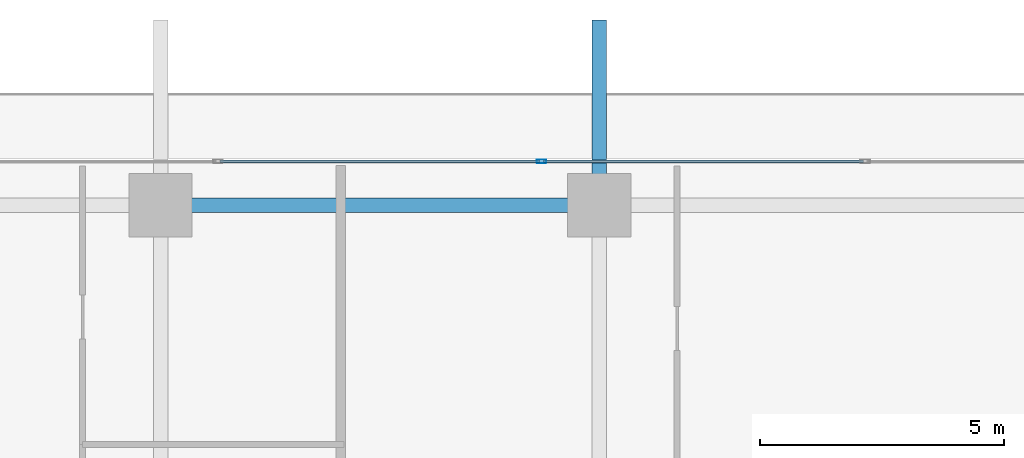
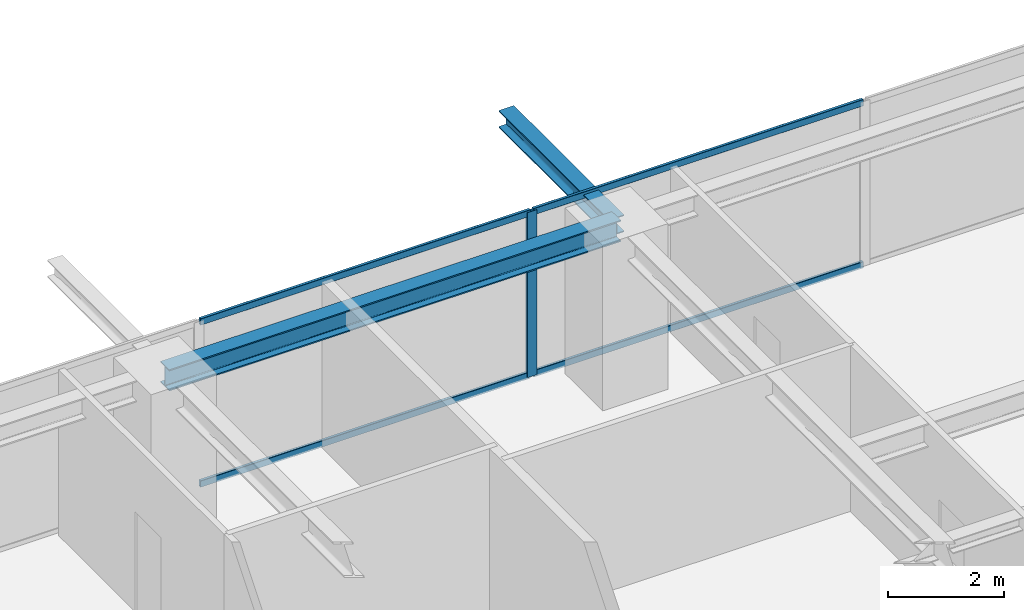
# One storey, part 22 of 37: 5 members, 2 beams, 1 element without a shape of its own.
"""IFC4 building model written with IfcOpenShell, lengths in metres."""

from ifc_helpers import new_model, si_unit, direction, frame, origin, origin_2d, place, context, subcontext, project, spatial, hollow_rectangle, i_section, extrude, source, transform, mapped, material, layer, layer_set, material_profile, profile_set, type_object, element, aggregate, save


model = new_model("IFC4")

# Units and contexts
model_context = context("Model", 3, precision=1e-05, world=origin(), true_north=direction((0.0, 1.0)))
body_context = subcontext(model_context, "Body", "Model", "MODEL_VIEW")
ifc_project = project(units=[si_unit("LENGTHUNIT", "METRE"), si_unit("AREAUNIT", "SQUARE_METRE"), si_unit("VOLUMEUNIT", "CUBIC_METRE"), si_unit("PLANEANGLEUNIT", "RADIAN"), si_unit("MASSUNIT", "GRAM", prefix="KILO")], contexts=[model_context])

# Site, building, storey
site_placement = place(None, origin())
site = spatial("IfcSite", under=ifc_project, at=site_placement, CompositionType="ELEMENT")
building_placement = place(site_placement, origin())
building = spatial("IfcBuilding", under=site, at=building_placement, Name="Serunith Strait Residences", CompositionType="ELEMENT")
storey_placement = place(building_placement, frame((0.0, 0.0, 161.39990234375)))
storey = spatial("IfcBuildingStorey", under=building, at=storey_placement, Name="L40", CompositionType="ELEMENT", Elevation=161.39990234375)

# Beams
ifc_material_1 = material(Name="Steel S355J2", Category="steel")
ifc_material_profile_1 = material_profile(ifc_material_1, i_section(OverallWidth=0.300048828125, OverallDepth=0.449951171875, WebThickness=0.013916015625, FlangeThickness=0.02587890625, FilletRadius=0.027099609375, at=origin_2d()), Name="HEB 450")
ifc_profile_set_1 = profile_set([ifc_material_profile_1], Name="Steel S355J2")
beam_type_1 = type_object("IfcBeamType", Name="BM-HEB450", PredefinedType="BEAM", material=ifc_profile_set_1)
shared_shape_1 = source(origin(), body_context, "Body", "SweptSolid", [
    extrude(i_section(OverallWidth=0.300048828125, OverallDepth=0.449951171875, WebThickness=0.013916015625, FlangeThickness=0.02587890625, FilletRadius=0.027099609375, at=origin_2d()), origin(), (0.0, 0.0, 1.0), 9.0),
])
beam_1_placement = place(storey_placement, frame((36.89990234375, 48.10009765625, 3.26220703125), z_axis=(-1.0, 0.0, 0.0), x_axis=(0.0, -1.0, 0.0)))
element("IfcBeam", 1, at=beam_1_placement, inside=storey, type_object=beam_type_1, Name="L40 Perimeter Ring Beam 10", PredefinedType="BEAM", context=body_context, shape_type="MappedRepresentation", body=[
    mapped(shared_shape_1, transform((0.0, 0.0, 0.0), scale=1.0)),
])
ifc_material_profile_2 = material_profile(ifc_material_1, i_section(OverallWidth=0.300048828125, OverallDepth=0.360107421875, WebThickness=0.012451171875, FlangeThickness=0.0224609375, FilletRadius=0.027099609375, at=origin_2d()), Name="HEB 360")
ifc_profile_set_2 = profile_set([ifc_material_profile_2], Name="Steel S355J2")
beam_type_2 = type_object("IfcBeamType", Name="BM-HEB360", PredefinedType="BEAM", material=ifc_profile_set_2)
shared_shape_2 = source(origin(), body_context, "Body", "SweptSolid", [
    extrude(i_section(OverallWidth=0.300048828125, OverallDepth=0.360107421875, WebThickness=0.012451171875, FlangeThickness=0.0224609375, FilletRadius=0.027099609375, at=origin_2d()), origin(), (0.0, 0.0, 1.0), 3.7998046875),
])
beam_2_placement = place(storey_placement, frame((36.89990234375, 48.10009765625, 3.277099609375), z_axis=(0.0, 1.0, 0.0), x_axis=(-1.0, 0.0, 0.0)))
element("IfcBeam", 2, at=beam_2_placement, inside=storey, type_object=beam_type_2, Name="L41 Cantilevered Balcony Rib TC-N3", PredefinedType="BEAM", context=body_context, shape_type="MappedRepresentation", body=[
    mapped(shared_shape_2, transform((0.0, 0.0, 0.0), scale=1.0)),
])

# Curtain wall, members
ifc_material_2 = material(Name="Pale-Champagne Anodised Aluminium", Category="aluminium")
ifc_layer = layer(ifc_material_2, 0.199951171875, Name="Pale-Champagne Anodised Aluminium")
ifc_layer_set = layer_set([ifc_layer], Name="Pale-Champagne Anodised Aluminium")
curtain_wall_type = type_object("IfcCurtainWallType", Name="CW-SYS2", PredefinedType="NOTDEFINED", material=ifc_layer_set)
curtain_wall_placement = place(storey_placement, origin())
curtain_wall = element("IfcCurtainWall", 3, at=curtain_wall_placement, inside=storey, type_object=curtain_wall_type, Name="L40 N Unitised Fritted Curtain Wall", PredefinedType="NOTDEFINED")
ifc_material_profile_3 = material_profile(ifc_material_2, hollow_rectangle(XDim=0.070068359375, YDim=0.199951171875, WallThickness=0.00390625, InnerFilletRadius=0.006103515625, OuterFilletRadius=0.010009765625, at=origin_2d()), Name="ALU 200x70x4")
ifc_profile_set_3 = profile_set([ifc_material_profile_3], Name="Pale-Champagne Anodised Aluminium")
member_type_1 = type_object("IfcMemberType", Name="CW-SYS2-MULL", PredefinedType="MULLION", material=ifc_profile_set_3)
shared_shape_3 = source(origin(), body_context, "Body", "SweptSolid", [
    extrude(hollow_rectangle(XDim=0.070068359375, YDim=0.199951171875, WallThickness=0.00390625, InnerFilletRadius=0.006103515625, OuterFilletRadius=0.010009765625, at=origin_2d()), origin(), (0.0, 0.0, 1.0), 3.47509765625),
])
member_1_placement = place(storey_placement, frame((35.719970703125, 49.0, 0.0), z_axis=(0.0, 0.0, 1.0), x_axis=(0.0, -1.0, 0.0)))
member_1 = element("IfcMember", 4, at=member_1_placement, type_object=member_type_1, Name="CW-2 mullion 3", PredefinedType="MULLION", context=body_context, shape_type="MappedRepresentation", body=[
    mapped(shared_shape_3, transform((0.0, 0.0, 0.0), scale=1.0)),
])
ifc_material_profile_4 = material_profile(ifc_material_2, hollow_rectangle(XDim=0.06005859375, YDim=0.139892578125, WallThickness=0.00341796875, InnerFilletRadius=0.00537109375, OuterFilletRadius=0.0087890625, at=origin_2d()), Name="ALU 140x60x3.5")
ifc_profile_set_4 = profile_set([ifc_material_profile_4], Name="Pale-Champagne Anodised Aluminium")
member_type_2 = type_object("IfcMemberType", Name="CW-SYS2-TRAN", PredefinedType="USERDEFINED", material=ifc_profile_set_4)
shared_shape_4 = source(origin(), body_context, "Body", "SweptSolid", [
    extrude(hollow_rectangle(XDim=0.06005859375, YDim=0.139892578125, WallThickness=0.00341796875, InnerFilletRadius=0.00537109375, OuterFilletRadius=0.0087890625, at=origin_2d()), origin(), (0.0, 0.0, 1.0), 6.570068359375),
])
member_2_placement = place(storey_placement, frame((42.324951171875, 49.0, 0.030029296875), z_axis=(-1.0, 0.0, 0.0), x_axis=(0.0, -1.0, 0.0)))
member_2 = element("IfcMember", 5, at=member_2_placement, type_object=member_type_2, Name="CW-2 transom 2.1", ObjectType="TRANSOM", PredefinedType="USERDEFINED", context=body_context, shape_type="MappedRepresentation", body=[
    mapped(shared_shape_4, transform((0.0, 0.0, 0.0), scale=1.0)),
])
member_3_placement = place(storey_placement, frame((42.324951171875, 49.0, 3.445068359375), z_axis=(-1.0, 0.0, 0.0), x_axis=(0.0, -1.0, 0.0)))
member_3 = element("IfcMember", 6, at=member_3_placement, type_object=member_type_2, Name="CW-2 transom 2.2", ObjectType="TRANSOM", PredefinedType="USERDEFINED", context=body_context, shape_type="MappedRepresentation", body=[
    mapped(shared_shape_4, transform((0.0, 0.0, 0.0), scale=1.0)),
])
member_4_placement = place(storey_placement, frame((35.68505859375, 49.0, 0.030029296875), z_axis=(-1.0, 0.0, 0.0), x_axis=(0.0, -1.0, 0.0)))
member_4 = element("IfcMember", 7, at=member_4_placement, type_object=member_type_2, Name="CW-2 transom 3.1", ObjectType="TRANSOM", PredefinedType="USERDEFINED", context=body_context, shape_type="MappedRepresentation", body=[
    mapped(shared_shape_4, transform((0.0, 0.0, 0.0), scale=1.0)),
])
member_5_placement = place(storey_placement, frame((35.68505859375, 49.0, 3.445068359375), z_axis=(-1.0, 0.0, 0.0), x_axis=(0.0, -1.0, 0.0)))
member_5 = element("IfcMember", 8, at=member_5_placement, type_object=member_type_2, Name="CW-2 transom 3.2", ObjectType="TRANSOM", PredefinedType="USERDEFINED", context=body_context, shape_type="MappedRepresentation", body=[
    mapped(shared_shape_4, transform((0.0, 0.0, 0.0), scale=1.0)),
])
aggregate(curtain_wall, [member_1, member_2, member_3, member_4, member_5])

save(model, "model.ifc")
